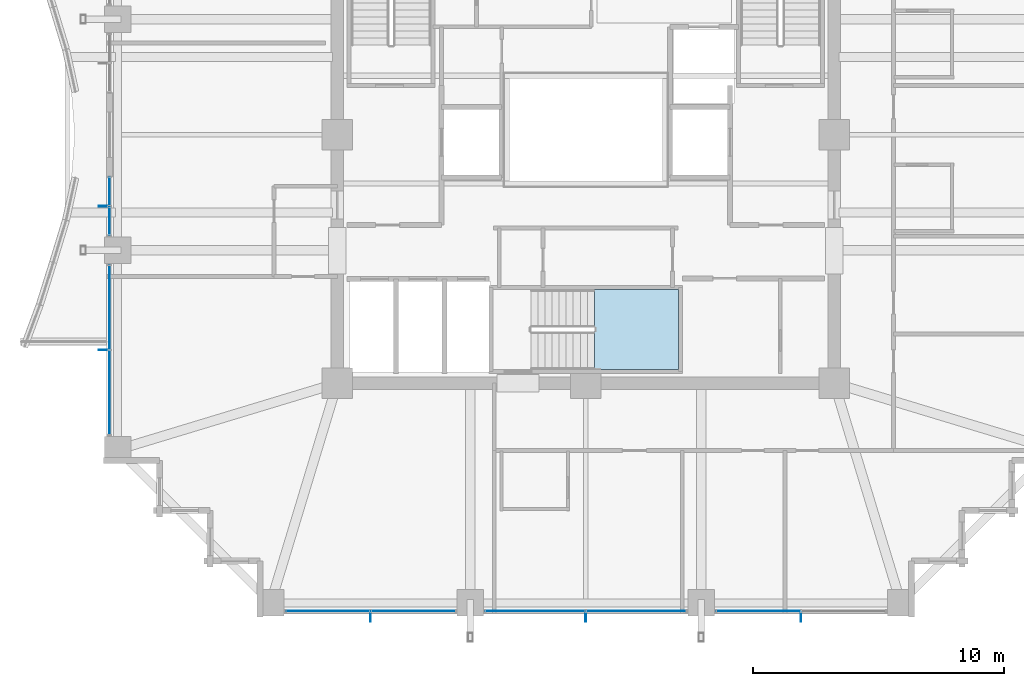
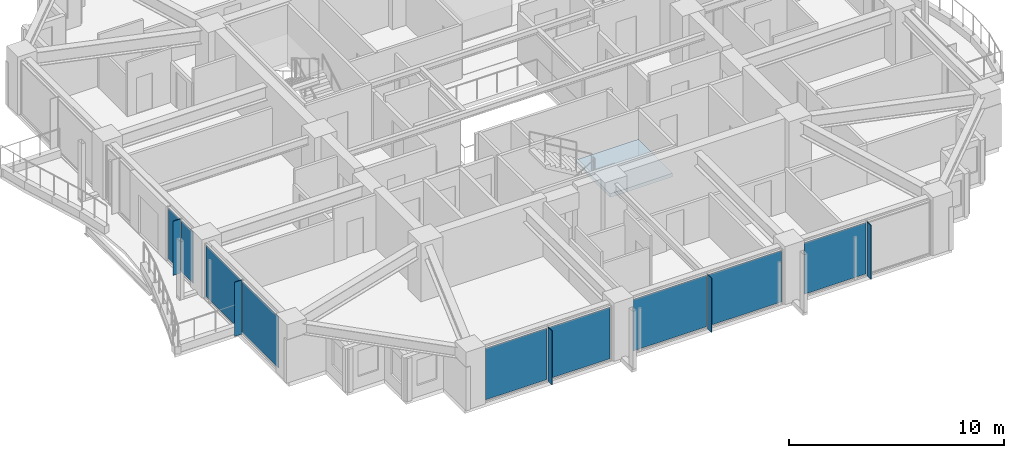
# One storey, part 24 of 35: 14 plates, 1 slab, 6 elements without a shape of their own.
"""IFC4 building model written with IfcOpenShell, lengths in metres."""

from ifc_helpers import new_model, si_unit, direction, frame, origin, origin_2d, place, context, subcontext, project, spatial, polyline, rectangle, outline, extrude, material, layer, layer_set, type_object, element, aggregate, save


model = new_model("IFC4")

# Units and contexts
model_context = context("Model", 3, precision=1e-05, world=origin(), true_north=direction((0.0, 1.0)))
body_context = subcontext(model_context, "Body", "Model", "MODEL_VIEW")
ifc_project = project(units=[si_unit("LENGTHUNIT", "METRE"), si_unit("AREAUNIT", "SQUARE_METRE"), si_unit("VOLUMEUNIT", "CUBIC_METRE"), si_unit("PLANEANGLEUNIT", "RADIAN"), si_unit("MASSUNIT", "GRAM", prefix="KILO")], contexts=[model_context])

# Site, building, storey
site_placement = place(None, origin())
site = spatial("IfcSite", under=ifc_project, at=site_placement, CompositionType="ELEMENT")
building_placement = place(site_placement, origin())
building = spatial("IfcBuilding", under=site, at=building_placement, Name="Kolvaren Belvedere", CompositionType="ELEMENT")
storey_placement = place(building_placement, frame((0.0, 0.0, 115.10009765625)))
storey = spatial("IfcBuildingStorey", under=building, at=storey_placement, Name="L33", CompositionType="ELEMENT", Elevation=115.10009765625)

# Curtain wall, plate
ifc_material_1 = material(Name="Anodised pale-metal aluminium AA 6063-T6", Category="aluminium")
curtain_wall_type = type_object("IfcCurtainWallType", Name="CW-Z3-WAIST", PredefinedType="NOTDEFINED", material=ifc_material_1)
curtain_wall_1_placement = place(storey_placement, origin())
curtain_wall_1 = element("IfcCurtainWall", 1, at=curtain_wall_1_placement, inside=storey, type_object=curtain_wall_type, Name="L33 Unitised Curtain Wall FCW-L33-S-B1", PredefinedType="NOTDEFINED")
ifc_material_2 = material(Name="Low-iron triple insulated glass", Category="glass")
ifc_layer_1 = layer(ifc_material_2, 0.028076171875)
ifc_layer_set_1 = layer_set([ifc_layer_1], Name="Low-iron triple insulated glass")
plate_type_1 = type_object("IfcPlateType", Name="CW-PNL-VIS28", PredefinedType="CURTAIN_PANEL", material=ifc_layer_set_1)
plate_1_placement = place(storey_placement, frame((6.876220703125, -18.97998046875, 0.079833984375), z_axis=(0.0, 0.0, 1.0), x_axis=(-1.0, 0.0, 0.0)))
plate_1 = element("IfcPlate", 2, at=plate_1_placement, type_object=plate_type_1, Name="FCW-L33-S-B1 Vision Glazing Panel 2", PredefinedType="CURTAIN_PANEL", context=body_context, shape_type="SweptSolid", body=[
    extrude(rectangle(XDim=3.3173828125, YDim=0.028076171875, at=origin_2d()), origin(), (0.0, 0.0, 1.0), 2.919921875),
])
aggregate(curtain_wall_1, [plate_1])

# Curtain wall, plates
curtain_wall_2_placement = place(storey_placement, origin())
curtain_wall_2 = element("IfcCurtainWall", 3, at=curtain_wall_2_placement, inside=storey, type_object=curtain_wall_type, Name="L33 Unitised Curtain Wall FCW-L33-S-B2", PredefinedType="NOTDEFINED")
plate_2_placement = place(storey_placement, frame((2.01123046875, -18.97998046875, 0.079833984375), z_axis=(0.0, 0.0, 1.0), x_axis=(-1.0, 0.0, 0.0)))
plate_2 = element("IfcPlate", 4, at=plate_2_placement, type_object=plate_type_1, Name="FCW-L33-S-B2 Vision Glazing Panel 1", PredefinedType="CURTAIN_PANEL", context=body_context, shape_type="SweptSolid", body=[
    extrude(rectangle(XDim=3.9423828125, YDim=0.028076171875, at=origin_2d()), origin(), (0.0, 0.0, 1.0), 2.919921875),
])
plate_3_placement = place(storey_placement, frame((-2.01123046875, -18.97998046875, 0.079833984375), z_axis=(0.0, 0.0, 1.0), x_axis=(-1.0, 0.0, 0.0)))
plate_3 = element("IfcPlate", 5, at=plate_3_placement, type_object=plate_type_1, Name="FCW-L33-S-B2 Vision Glazing Panel 2", PredefinedType="CURTAIN_PANEL", context=body_context, shape_type="SweptSolid", body=[
    extrude(rectangle(XDim=3.9423828125, YDim=0.028076171875, at=origin_2d()), origin(), (0.0, 0.0, 1.0), 2.919921875),
])
aggregate(curtain_wall_2, [plate_2, plate_3])

curtain_wall_3_placement = place(storey_placement, origin())
curtain_wall_3 = element("IfcCurtainWall", 6, at=curtain_wall_3_placement, inside=storey, type_object=curtain_wall_type, Name="L33 Unitised Curtain Wall FCW-L33-S-B3", PredefinedType="NOTDEFINED")
plate_4_placement = place(storey_placement, frame((-6.876220703125, -18.97998046875, 0.079833984375), z_axis=(0.0, 0.0, 1.0), x_axis=(-1.0, 0.0, 0.0)))
plate_4 = element("IfcPlate", 7, at=plate_4_placement, type_object=plate_type_1, Name="FCW-L33-S-B3 Vision Glazing Panel 1", PredefinedType="CURTAIN_PANEL", context=body_context, shape_type="SweptSolid", body=[
    extrude(rectangle(XDim=3.3173828125, YDim=0.028076171875, at=origin_2d()), origin(), (0.0, 0.0, 1.0), 2.919921875),
])
plate_5_placement = place(storey_placement, frame((-10.273681640625, -18.97998046875, 0.079833984375), z_axis=(0.0, 0.0, 1.0), x_axis=(-1.0, 0.0, 0.0)))
plate_5 = element("IfcPlate", 8, at=plate_5_placement, type_object=plate_type_1, Name="FCW-L33-S-B3 Vision Glazing Panel 2", PredefinedType="CURTAIN_PANEL", context=body_context, shape_type="SweptSolid", body=[
    extrude(rectangle(XDim=3.3173828125, YDim=0.028076171875, at=origin_2d()), origin(), (0.0, 0.0, 1.0), 2.919921875),
])
aggregate(curtain_wall_3, [plate_4, plate_5])

curtain_wall_4_placement = place(storey_placement, origin())
curtain_wall_4 = element("IfcCurtainWall", 9, at=curtain_wall_4_placement, inside=storey, type_object=curtain_wall_type, Name="L33 Unitised Curtain Wall FCW-L33-W1-B1", PredefinedType="NOTDEFINED")
plate_6_placement = place(storey_placement, frame((-18.97998046875, -10.273681640625, 0.079833984375), z_axis=(0.0, 0.0, 1.0), x_axis=(0.0, 1.0, 0.0)))
plate_6 = element("IfcPlate", 10, at=plate_6_placement, type_object=plate_type_1, Name="FCW-L33-W1-B1 Vision Glazing Panel 1", PredefinedType="CURTAIN_PANEL", context=body_context, shape_type="SweptSolid", body=[
    extrude(rectangle(XDim=3.3173828125, YDim=0.028076171875, at=origin_2d()), origin(), (0.0, 0.0, 1.0), 2.919921875),
])
plate_7_placement = place(storey_placement, frame((-18.97998046875, -6.876220703125, 0.079833984375), z_axis=(0.0, 0.0, 1.0), x_axis=(0.0, 1.0, 0.0)))
plate_7 = element("IfcPlate", 11, at=plate_7_placement, type_object=plate_type_1, Name="FCW-L33-W1-B1 Vision Glazing Panel 2", PredefinedType="CURTAIN_PANEL", context=body_context, shape_type="SweptSolid", body=[
    extrude(rectangle(XDim=3.3173828125, YDim=0.028076171875, at=origin_2d()), origin(), (0.0, 0.0, 1.0), 2.919921875),
])
aggregate(curtain_wall_4, [plate_6, plate_7])

curtain_wall_5_placement = place(storey_placement, origin())
curtain_wall_5 = element("IfcCurtainWall", 12, at=curtain_wall_5_placement, inside=storey, type_object=curtain_wall_type, Name="L33 Unitised Curtain Wall FCW-L33-W1-B2", PredefinedType="NOTDEFINED")
plate_8_placement = place(storey_placement, frame((-18.97998046875, -3.43701171875, 0.079833984375), z_axis=(0.0, 0.0, 1.0), x_axis=(0.0, 1.0, 0.0)))
plate_8 = element("IfcPlate", 13, at=plate_8_placement, type_object=plate_type_1, Name="FCW-L33-W1-B2 Vision Glazing Panel 1", PredefinedType="CURTAIN_PANEL", context=body_context, shape_type="SweptSolid", body=[
    extrude(rectangle(XDim=1.09130859375, YDim=0.028076171875, at=origin_2d()), origin(), (0.0, 0.0, 1.0), 2.919921875),
])
plate_9_placement = place(storey_placement, frame((-18.97998046875, -2.265625, 0.079833984375), z_axis=(0.0, 0.0, 1.0), x_axis=(0.0, 1.0, 0.0)))
plate_9 = element("IfcPlate", 14, at=plate_9_placement, type_object=plate_type_1, Name="FCW-L33-W1-B2 Vision Glazing Panel 2", PredefinedType="CURTAIN_PANEL", context=body_context, shape_type="SweptSolid", body=[
    extrude(rectangle(XDim=1.09130859375, YDim=0.028076171875, at=origin_2d()), origin(), (0.0, 0.0, 1.0), 2.919921875),
])
aggregate(curtain_wall_5, [plate_8, plate_9])

# Plates
ifc_material_3 = material(Name="Anodised pale-metal aluminium AA 6063-T6", Category="aluminium")
ifc_layer_2 = layer(ifc_material_3, 0.033935546875)
ifc_layer_set_2 = layer_set([ifc_layer_2], Name="Anodised pale-metal aluminium AA 6063-T6")
plate_type_2 = type_object("IfcPlateType", Name="FIN-VERT-380", PredefinedType="USERDEFINED", material=ifc_layer_set_2)
for number, where, z_axis, x_axis, name in (
    (15, (8.574951171875, -19.219970703125, -0.000244140625), (0.0, 0.0, 1.0), (0.0, 1.0, 0.0), "L33 Pale-Metal Vertical Shading Fin FCW-L33-S-B1-1"),
    (16, (0.0, -19.219970703125, -0.000244140625), (0.0, 0.0, 1.0), (0.0, 1.0, 0.0), "L33 Pale-Metal Vertical Shading Fin FCW-L33-S-B2-1"),
    (17, (-8.574951171875, -19.219970703125, -0.000244140625), (0.0, 0.0, 1.0), (0.0, 1.0, 0.0), "L33 Pale-Metal Vertical Shading Fin FCW-L33-S-B3-1"),
    (18, (-19.219970703125, -8.574951171875, -0.000244140625), (0.0, 0.0, 1.0), (1.0, 0.0, 0.0), "L33 Pale-Metal Vertical Shading Fin FCW-L33-W1-B1-1"),
    (19, (-19.219970703125, -2.851318359375, -0.000244140625), (0.0, 0.0, 1.0), (1.0, 0.0, 0.0), "L33 Pale-Metal Vertical Shading Fin FCW-L33-W1-B2-1"),
):
    element("IfcPlate", number, at=place(storey_placement, frame(where, z_axis=z_axis, x_axis=x_axis)), inside=storey, type_object=plate_type_2, Name=name, ObjectType="VERTICAL FIN", PredefinedType="USERDEFINED", context=body_context, shape_type="SweptSolid", body=[
        extrude(rectangle(XDim=0.3798828125, YDim=0.033935546875, at=origin_2d()), origin(), (0.0, 0.0, 1.0), 3.080078125),
    ])

# Stair, slab
ifc_material_4 = material(Name="Concrete C50/60", Category="concrete")
stair_type = type_object("IfcStairType", Name="ST-CORE-1520", PredefinedType="HALF_TURN_STAIR", material=ifc_material_4)
stair_placement = place(storey_placement, origin())
stair = element("IfcStair", 20, at=stair_placement, inside=storey, type_object=stair_type, Name="L33 Protected Exit Stair ST-3", PredefinedType="HALF_TURN_STAIR")
ifc_material_5 = material(Name="Concrete C50/60", Category="concrete")
ifc_layer_3 = layer(ifc_material_5, 0.260009765625)
ifc_layer_set_3 = layer_set([ifc_layer_3], Name="Concrete C50/60")
slab_type = type_object("IfcSlabType", Name="SL-LAND-260", PredefinedType="LANDING", material=ifc_layer_set_3)
slab_placement = place(storey_placement, frame((0.0, 0.0, 1.449951171875)))
slab = element("IfcSlab", 21, at=slab_placement, type_object=slab_type, Name="ST-3 landing 1", PredefinedType="LANDING", context=body_context, shape_type="SweptSolid", body=[
    extrude(outline(polyline([(0.340087890625, -9.35009765625), (3.699951171875, -9.35009765625), (3.699951171875, -6.159912109375), (0.340087890625, -6.159912109375), (0.340087890625, -9.35009765625)])), origin(), (0.0, 0.0, 1.0), 0.199951171875),
])
aggregate(stair, [slab])

save(model, "model.ifc")
